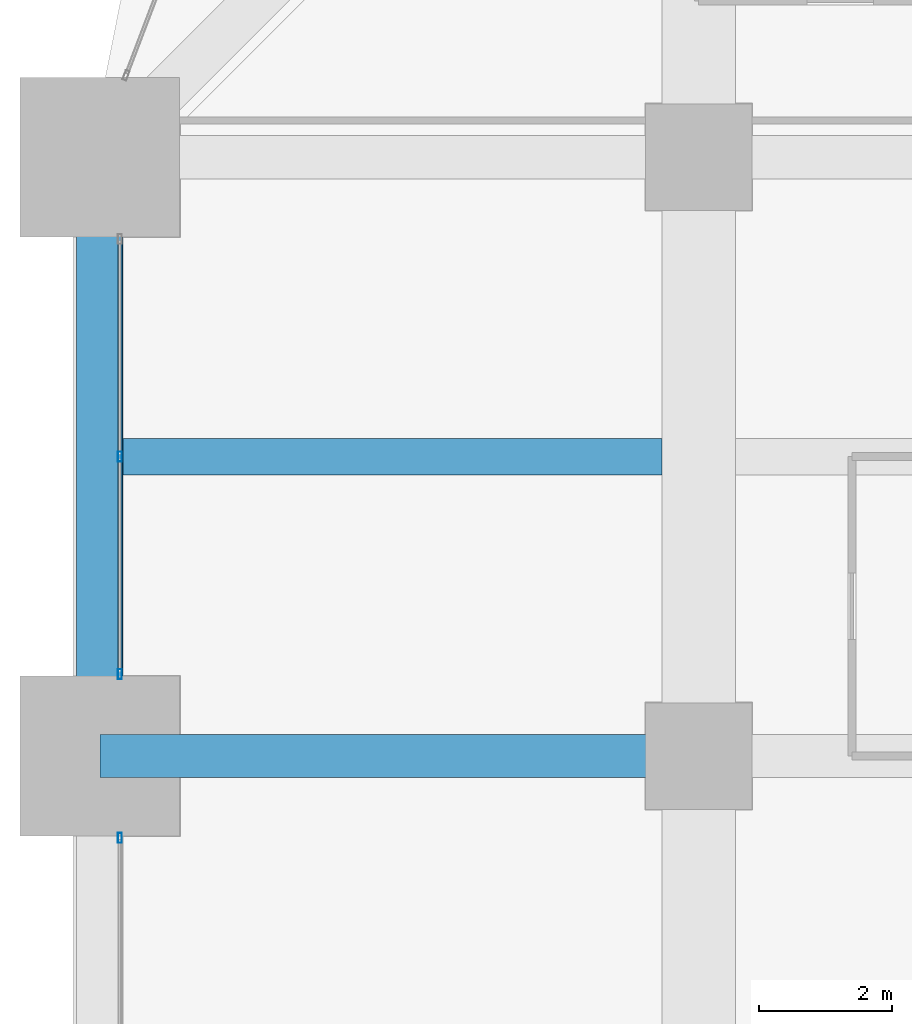
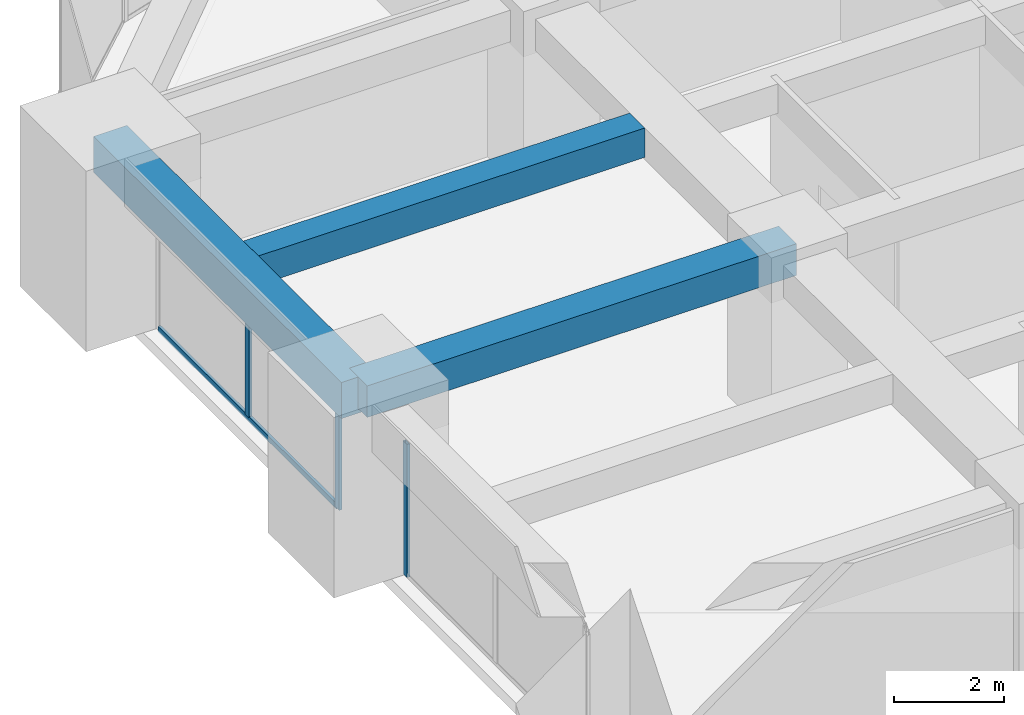
# One storey, part 11 of 33: 4 members, 3 beams, 2 elements without a shape of their own.
"""IFC4 building model written with IfcOpenShell, lengths in metres."""

import ifcopenshell
import ifcopenshell.guid

model = None  # the IFC model being written
_history = None  # IfcOwnerHistory: only IFC2X3 demands one
_inside = {}  # id of a spatial element -> (the spatial element, [elements in it])
_under = {}  # id of a project, library or spatial element -> (it, [spatial elements below it])
_declared = {}  # id of a project -> (the project, [libraries it declares])
_typed = {}  # id of a type object -> (the type object, [elements of that type])
_made_of = {}  # id of a material, layer set ... -> (it, [elements and type objects made of it])


def new_model(schema):
    """Start an empty IFC model of exactly this schema.

    Asked for "IFC4X3", IfcOpenShell would pick the latest addendum, in which some entities
    have other attributes; the version numbers below select the first issue.
    IFC2X3 requires an IfcOwnerHistory on every rooted entity: one is made here for all.
    """
    global model, _history
    if schema == "IFC4X3":
        model = ifcopenshell.file(schema_version=(4, 3, 0, 0))
    else:
        model = ifcopenshell.file(schema=schema)
    _inside.clear()
    _under.clear()
    _declared.clear()
    _typed.clear()
    _made_of.clear()
    _history = None
    if model.schema == "IFC2X3":
        org = make("IfcOrganization", Name="unknown")
        user = make(
            "IfcPersonAndOrganization",
            ThePerson=make("IfcPerson", FamilyName="unknown"),
            TheOrganization=org,
        )
        app = make(
            "IfcApplication",
            ApplicationDeveloper=org,
            Version="unknown",
            ApplicationFullName="unknown",
            ApplicationIdentifier="unknown",
        )
        _history = make(
            "IfcOwnerHistory",
            OwningUser=user,
            OwningApplication=app,
            ChangeAction="ADDED",
            CreationDate=0,
        )
    return model


def make(cls, **values):
    """One entity of the class cls with the attributes given. An attribute that is None is left unset."""
    return model.create_entity(
        cls, **{name: value for name, value in values.items() if value is not None}
    )


def rooted(cls, **values):
    """An entity with a GlobalId (a new one), such as an element, a storey or a relation."""
    return make(cls, GlobalId=ifcopenshell.guid.new(), OwnerHistory=_history, **values)


def si_unit(unit_type, name, prefix=None):
    """IfcSIUnit, for example si_unit("LENGTHUNIT", "METRE", prefix="MILLI")."""
    return make("IfcSIUnit", UnitType=unit_type, Prefix=prefix, Name=name)


def assignment(units):
    """IfcUnitAssignment: the units of a project."""
    return None if units is None else make("IfcUnitAssignment", Units=units)


def point(xyz):
    """IfcCartesianPoint."""
    return None if xyz is None else make("IfcCartesianPoint", Coordinates=xyz)


def direction(xyz):
    """IfcDirection."""
    return None if xyz is None else make("IfcDirection", DirectionRatios=xyz)


def frame(location, z_axis=None, x_axis=None):
    """IfcAxis2Placement3D, a coordinate frame: its origin and axes. An axis left out is left unset."""
    return make(
        "IfcAxis2Placement3D",
        Location=point(location),
        Axis=direction(z_axis),
        RefDirection=direction(x_axis),
    )


def frame_2d(location, x_axis=None):
    """IfcAxis2Placement2D, a coordinate frame in the plane: its origin and x axis."""
    return make(
        "IfcAxis2Placement2D", Location=point(location), RefDirection=direction(x_axis)
    )


def origin():
    """The frame at (0, 0, 0) with its axes left unset."""
    return frame((0.0, 0.0, 0.0))


def origin_2d():
    """The frame at (0, 0) in the plane with its x axis left unset."""
    return frame_2d((0.0, 0.0))


def place(relative_to, where):
    """IfcLocalPlacement: puts the frame where relative to a parent placement (None: the world)."""
    return make(
        "IfcLocalPlacement", PlacementRelTo=relative_to, RelativePlacement=where
    )


def context(
    kind, dimensions, precision=None, world=None, true_north=None, identifier=None
):
    """IfcGeometricRepresentationContext, for example the 3D "Model" context."""
    return make(
        "IfcGeometricRepresentationContext",
        ContextIdentifier=identifier,
        ContextType=kind,
        CoordinateSpaceDimension=dimensions,
        Precision=precision,
        WorldCoordinateSystem=world,
        TrueNorth=true_north,
    )


def subcontext(parent, identifier, kind, view, scale=None):
    """IfcGeometricRepresentationSubContext, for example "Body" below "Model"."""
    return make(
        "IfcGeometricRepresentationSubContext",
        ContextIdentifier=identifier,
        ContextType=kind,
        ParentContext=parent,
        TargetScale=scale,
        TargetView=view,
    )


def project(units=None, contexts=None):
    """IfcProject with its units and contexts."""
    return rooted(
        "IfcProject",
        Name="project",
        RepresentationContexts=contexts,
        UnitsInContext=assignment(units),
    )


def spatial(cls, under=None, at=None, **own):
    """A site, building, storey or space (cls), placed at a placement, below another one or the project."""
    s = rooted(cls, ObjectPlacement=at, **own)
    if under is not None:
        _under.setdefault(under.id(), (under, []))[1].append(s)
    return s


def profile(cls, at=None, kind="AREA", **sizes):
    """A parametric profile (cls). Its sizes go by their IFC names, for example OverallWidth=200.0."""
    return make(cls, ProfileType=kind, Position=at, **sizes)


def rectangle(**sizes):
    """IfcRectangleProfileDef."""
    return profile("IfcRectangleProfileDef", **sizes)


def hollow_rectangle(**sizes):
    """IfcRectangleHollowProfileDef."""
    return profile("IfcRectangleHollowProfileDef", **sizes)


def extrude(swept, where, along, depth):
    """IfcExtrudedAreaSolid: the profile swept, set in the frame where, extruded along a direction by depth."""
    return make(
        "IfcExtrudedAreaSolid",
        SweptArea=swept,
        Position=where,
        ExtrudedDirection=direction(along),
        Depth=depth,
    )


def shape(context_of_items, identifier, shape_type, items):
    """IfcShapeRepresentation: the items that make up one representation, for example the "Body"."""
    return make(
        "IfcShapeRepresentation",
        ContextOfItems=context_of_items,
        RepresentationIdentifier=identifier,
        RepresentationType=shape_type,
        Items=items,
    )


def material(Name=None, Category=None):
    """IfcMaterial."""
    return make("IfcMaterial", Name=Name, Category=Category)


def material_profile(
    of_material, cross_section, Name=None, Category=None, Priority=None
):
    """IfcMaterialProfile: a cross section and its material."""
    return make(
        "IfcMaterialProfile",
        Name=Name,
        Material=of_material,
        Profile=cross_section,
        Priority=Priority,
        Category=Category,
    )


def profile_set(profiles, Name=None, composite=None):
    """IfcMaterialProfileSet."""
    return make(
        "IfcMaterialProfileSet",
        Name=Name,
        MaterialProfiles=profiles,
        CompositeProfile=composite,
    )


def made_of(thing, what):
    """Note that an element or type object is made of a material, layer set ...; save() writes the relation."""
    if what is not None:
        _made_of.setdefault(what.id(), (what, []))[1].append(thing)
    return thing


def type_object(cls, material=None, **own):
    """A type object (cls), such as IfcWallType, which elements share."""
    return made_of(rooted(cls, **own), material)


def element(
    cls,
    number,
    at=None,
    inside=None,
    cuts=None,
    type_object=None,
    material=None,
    context=None,
    identifier="Body",
    shape_type=None,
    held_by="IfcProductDefinitionShape",
    body=None,
    shapes=None,
    **own,
):
    """One element of the class cls, such as IfcWall. Its Tag is "e" and its number.

    at: its placement. inside: the storey or other place that contains it. cuts: it is an
    opening in that element (IfcRelVoidsElement). A single representation is given by context,
    identifier, shape_type and body (its items); several are given by shapes. held_by: the class
    of the entity that holds the representations. save() writes the other relations.
    """
    e = rooted(cls, Tag="e%d" % number, ObjectPlacement=at, **own)
    if body is not None:
        shapes = [shape(context, identifier, shape_type, body)]
    if shapes is not None:
        e.Representation = make(held_by, Representations=shapes)
    if inside is not None:
        _inside.setdefault(inside.id(), (inside, []))[1].append(e)
    if cuts is not None:
        rooted(
            "IfcRelVoidsElement", RelatingBuildingElement=cuts, RelatedOpeningElement=e
        )
    if type_object is not None:
        _typed.setdefault(type_object.id(), (type_object, []))[1].append(e)
    return made_of(e, material)


def aggregate(whole, parts):
    """IfcRelAggregates: a whole, such as a stair, and the parts it consists of."""
    return rooted("IfcRelAggregates", RelatingObject=whole, RelatedObjects=parts)


def save(model, path):
    """Write the relations noted so far, then the file.

    IfcRelAggregates (storeys below a building ...), IfcRelContainedInSpatialStructure (elements
    in a storey), IfcRelDefinesByType, IfcRelAssociatesMaterial and IfcRelDeclares: one each for
    every whole, place, type object, material and project.
    """
    for whole, parts in _under.values():
        aggregate(whole, parts)
    for where, things in _inside.values():
        rooted(
            "IfcRelContainedInSpatialStructure",
            RelatedElements=things,
            RelatingStructure=where,
        )
    for kind, things in _typed.values():
        rooted("IfcRelDefinesByType", RelatedObjects=things, RelatingType=kind)
    for what, things in _made_of.values():
        rooted("IfcRelAssociatesMaterial", RelatedObjects=things, RelatingMaterial=what)
    for by, libraries in _declared.values():
        rooted("IfcRelDeclares", RelatingContext=by, RelatedDefinitions=libraries)
    model.write(path)


model = new_model("IFC4")

# Units and contexts
model_context = context("Model", 3, precision=1e-05, world=origin(), true_north=direction((0.0, 1.0)))
body_context = subcontext(model_context, "Body", "Model", "MODEL_VIEW")
ifc_project = project(units=[si_unit("LENGTHUNIT", "METRE"), si_unit("AREAUNIT", "SQUARE_METRE"), si_unit("VOLUMEUNIT", "CUBIC_METRE"), si_unit("PLANEANGLEUNIT", "RADIAN"), si_unit("MASSUNIT", "GRAM", prefix="KILO")], contexts=[model_context])

# Site, building, storey
site_placement = place(None, origin())
site = spatial("IfcSite", under=ifc_project, at=site_placement, CompositionType="ELEMENT")
building_placement = place(site_placement, origin())
building = spatial("IfcBuilding", under=site, at=building_placement, Name="Zorevar Civic Tower", CompositionType="ELEMENT")
storey_placement = place(building_placement, frame((0.0, 0.0, 194.199951171875)))
storey = spatial("IfcBuildingStorey", under=building, at=storey_placement, Name="L47", CompositionType="ELEMENT", Elevation=194.199951171875)

# Beams
ifc_material_1 = material(Name="Concrete C50/60", Category="concrete")
ifc_material_profile_1 = material_profile(ifc_material_1, rectangle(XDim=0.550048828125, YDim=0.64990234375, at=origin_2d()), Name="RC 550x650")
ifc_profile_set_1 = profile_set([ifc_material_profile_1], Name="Concrete C50/60")
beam_type_1 = type_object("IfcBeamType", Name="Beam RC 550x650", PredefinedType="BEAM", material=ifc_profile_set_1)
beam_1_placement = place(storey_placement, frame((0.35009765625, 31.5, 3.425048828125), z_axis=(1.0, 0.0, 0.0), x_axis=(0.0, 1.0, 0.0)))
element("IfcBeam", 1, at=beam_1_placement, inside=storey, type_object=beam_type_1, Name="Secondary beam L48", PredefinedType="BEAM", context=body_context, shape_type="SweptSolid", body=[
    extrude(rectangle(XDim=0.550048828125, YDim=0.64990234375, at=origin_2d()), origin(), (0.0, 0.0, 1.0), 8.099853515625),
])
ifc_material_2 = material(Name="Concrete C50/60", Category="concrete")
ifc_material_profile_2 = material_profile(ifc_material_2, rectangle(XDim=0.64990234375, YDim=0.699951171875, at=origin_2d()), Name="RC 650x700")
ifc_profile_set_2 = profile_set([ifc_material_profile_2], Name="Concrete C50/60")
beam_type_2 = type_object("IfcBeamType", Name="Beam RC 650x700", PredefinedType="BEAM", material=ifc_profile_set_2)
beam_2_placement = place(storey_placement, frame((0.0, 27.0, 3.400146484375), z_axis=(1.0, 0.0, 0.0), x_axis=(0.0, 1.0, 0.0)))
element("IfcBeam", 2, at=beam_2_placement, inside=storey, type_object=beam_type_2, Name="Girder L48", PredefinedType="BEAM", context=body_context, shape_type="SweptSolid", body=[
    extrude(rectangle(XDim=0.64990234375, YDim=0.699951171875, at=origin_2d()), origin(), (0.0, 0.0, 1.0), 9.0),
])

# Curtain wall, member
ifc_material_3 = material(Name="Dark grey solar-control glass in black aluminium frame", Category="aluminium")
curtain_wall_type = type_object("IfcCurtainWallType", Name="Curtain wall CW4 high zone", PredefinedType="NOTDEFINED", material=ifc_material_3)
curtain_wall_1_placement = place(storey_placement, origin())
curtain_wall_1 = element("IfcCurtainWall", 3, at=curtain_wall_1_placement, inside=storey, type_object=curtain_wall_type, Name="CW4 L47", PredefinedType="NOTDEFINED")
ifc_material_4 = material(Name="Aluminium, black anodised", Category="aluminium")
ifc_material_profile_3 = material_profile(ifc_material_4, hollow_rectangle(XDim=0.06005859375, YDim=0.14990234375, WallThickness=0.00390625, at=origin_2d()), Name="AL 150x60x4")
ifc_profile_set_3 = profile_set([ifc_material_profile_3], Name="Aluminium, black anodised")
member_type_1 = type_object("IfcMemberType", Name="CW4 mullion AL 150x60x4", PredefinedType="MULLION", material=ifc_profile_set_3)
member_1_placement = place(storey_placement, frame((0.300048828125, 25.77001953125, 0.0), z_axis=(0.0, 0.0, 1.0), x_axis=(-1.0, 0.0, 0.0)))
member_1 = element("IfcMember", 4, at=member_1_placement, type_object=member_type_1, Name="CW4 mullion 3", PredefinedType="MULLION", context=body_context, shape_type="SweptSolid", body=[
    extrude(hollow_rectangle(XDim=0.06005859375, YDim=0.14990234375, WallThickness=0.00390625, at=origin_2d()), origin(), (0.0, 0.0, 1.0), 2.949951171875),
])
aggregate(curtain_wall_1, [member_1])

# Curtain wall, members
curtain_wall_2_placement = place(storey_placement, origin())
curtain_wall_2 = element("IfcCurtainWall", 5, at=curtain_wall_2_placement, inside=storey, type_object=curtain_wall_type, Name="CW4 L47", PredefinedType="NOTDEFINED")
member_2_placement = place(storey_placement, frame((0.300048828125, 28.22998046875, 0.0), z_axis=(0.0, 0.0, 1.0), x_axis=(-1.0, 0.0, 0.0)))
member_2 = element("IfcMember", 6, at=member_2_placement, type_object=member_type_1, Name="CW4 mullion 1", PredefinedType="MULLION", context=body_context, shape_type="SweptSolid", body=[
    extrude(hollow_rectangle(XDim=0.06005859375, YDim=0.14990234375, WallThickness=0.00390625, at=origin_2d()), origin(), (0.0, 0.0, 1.0), 2.949951171875),
])
member_3_placement = place(storey_placement, frame((0.300048828125, 31.5, 0.06005859375), z_axis=(0.0, 0.0, 1.0), x_axis=(-1.0, 0.0, 0.0)))
member_3 = element("IfcMember", 7, at=member_3_placement, type_object=member_type_1, Name="CW4 mullion 2", PredefinedType="MULLION", context=body_context, shape_type="SweptSolid", body=[
    extrude(hollow_rectangle(XDim=0.06005859375, YDim=0.14990234375, WallThickness=0.00390625, at=origin_2d()), origin(), (0.0, 0.0, 1.0), 2.889892578125),
])
ifc_material_5 = material(Name="Aluminium, black anodised", Category="aluminium")
ifc_material_profile_4 = material_profile(ifc_material_5, hollow_rectangle(XDim=0.06005859375, YDim=0.1201171875, WallThickness=0.0029296875, at=origin_2d()), Name="AL 120x60x3")
ifc_profile_set_4 = profile_set([ifc_material_profile_4], Name="Aluminium, black anodised")
member_type_2 = type_object("IfcMemberType", Name="CW4 transom AL 120x60x3", PredefinedType="USERDEFINED", material=ifc_profile_set_4)
member_4_placement = place(storey_placement, frame((0.300048828125, 28.260009765625, 0.030029296875), z_axis=(0.0, 1.0, 0.0), x_axis=(-1.0, 0.0, 0.0)))
member_4 = element("IfcMember", 8, at=member_4_placement, type_object=member_type_2, Name="CW4 sill transom", ObjectType="TRANSOM", PredefinedType="USERDEFINED", context=body_context, shape_type="SweptSolid", body=[
    extrude(hollow_rectangle(XDim=0.06005859375, YDim=0.1201171875, WallThickness=0.0029296875, at=origin_2d()), origin(), (0.0, 0.0, 1.0), 6.47998046875),
])
aggregate(curtain_wall_2, [member_2, member_3, member_4])

# Beam
ifc_material_6 = material(Name="Concrete C50/60", Category="concrete")
ifc_material_profile_5 = material_profile(ifc_material_6, rectangle(XDim=0.699951171875, YDim=0.800048828125, at=origin_2d()), Name="RC 700x800")
ifc_profile_set_5 = profile_set([ifc_material_profile_5], Name="Concrete C50/60")
beam_type_3 = type_object("IfcBeamType", Name="Edge beam RC 700x800", PredefinedType="SPANDREL", material=ifc_profile_set_5)
beam_3_placement = place(storey_placement, frame((0.0, 27.0, 3.35009765625), z_axis=(0.0, 1.0, 0.0), x_axis=(-1.0, 0.0, 0.0)))
element("IfcBeam", 9, at=beam_3_placement, inside=storey, type_object=beam_type_3, Name="Edge beam L48", PredefinedType="SPANDREL", context=body_context, shape_type="SweptSolid", body=[
    extrude(rectangle(XDim=0.699951171875, YDim=0.800048828125, at=origin_2d()), origin(), (0.0, 0.0, 1.0), 9.0),
])

save(model, "model.ifc")
